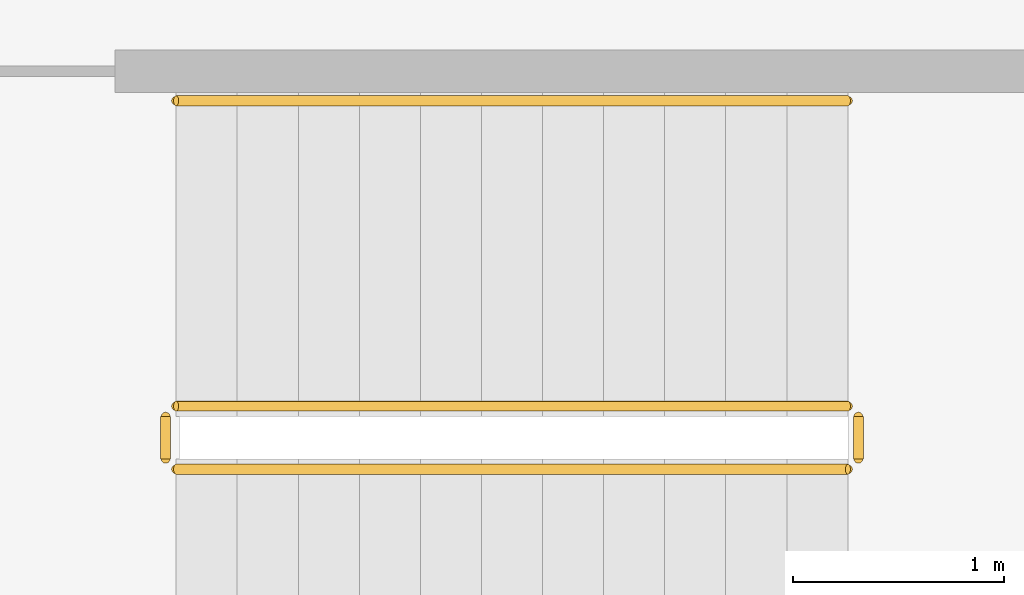
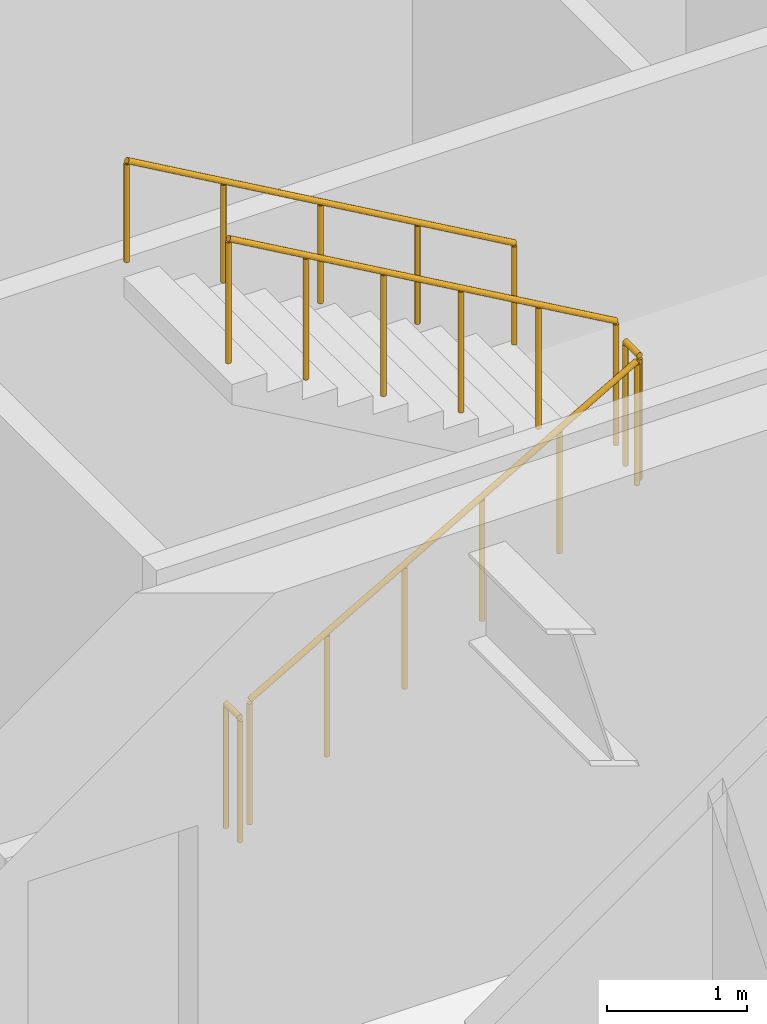
# One storey, part 19 of 20: 5 railings.
"""IFC4 building model written with IfcOpenShell, lengths in metres."""

from ifc_helpers import new_model, si_unit, direction, frame, origin, origin_2d, place, context, subcontext, project, spatial, circle, extrude, material, type_object, element, save


model = new_model("IFC4")

# Units and contexts
model_context = context("Model", 3, precision=1e-05, world=origin(), true_north=direction((0.0, 1.0)))
body_context = subcontext(model_context, "Body", "Model", "MODEL_VIEW")
ifc_project = project(units=[si_unit("LENGTHUNIT", "METRE"), si_unit("AREAUNIT", "SQUARE_METRE"), si_unit("VOLUMEUNIT", "CUBIC_METRE"), si_unit("PLANEANGLEUNIT", "RADIAN"), si_unit("MASSUNIT", "GRAM", prefix="KILO")], contexts=[model_context])

# Site, building, storey
site_placement = place(None, origin())
site = spatial("IfcSite", under=ifc_project, at=site_placement, CompositionType="ELEMENT")
building_placement = place(site_placement, origin())
building = spatial("IfcBuilding", under=site, at=building_placement, Name="Putna Gate Headquarters", CompositionType="ELEMENT")
storey_placement = place(building_placement, frame((0.0, 0.0, 298.39990234375)))
storey = spatial("IfcBuildingStorey", under=building, at=storey_placement, Name="L75", CompositionType="ELEMENT", Elevation=298.39990234375)

# Railings
ifc_material_1 = material(Name="Powder-coated steel stair guardrail", Category="steel")
railing_type_1 = type_object("IfcRailingType", Name="RAIL-STAIR-GUARD-1100", PredefinedType="GUARDRAIL", material=ifc_material_1)
railing_1_placement = place(storey_placement, frame((57.89990234375, 21.10009765625, 0.166748046875)))
element("IfcRailing", 1, at=railing_1_placement, inside=storey, type_object=railing_type_1, Name="L75 ST2 stair guard 1", PredefinedType="GUARDRAIL", context=body_context, shape_type="SweptSolid", body=[
    extrude(circle(Radius=0.02392578125, at=origin_2d()), frame((0.0, 0.0, 1.076171875), z_axis=(0.8670360191, 0.0, 0.498245463184), x_axis=(0.0, 1.0, 0.0)), (0.0, 0.0, 1.0), 3.679443359375),
    extrude(circle(Radius=0.02099609375, at=origin_2d()), origin(), (0.0, 0.0, 1.0), 1.052001953125),
    extrude(circle(Radius=0.02099609375, at=origin_2d()), frame((0.637939453125, 0.0, 0.36669921875)), (0.0, 0.0, 1.0), 1.052001953125),
    extrude(circle(Radius=0.02099609375, at=origin_2d()), frame((1.276123046875, 0.0, 0.7333984375)), (0.0, 0.0, 1.0), 1.052001953125),
    extrude(circle(Radius=0.02099609375, at=origin_2d()), frame((1.9140625, 0.0, 1.099853515625)), (0.0, 0.0, 1.0), 1.052001953125),
    extrude(circle(Radius=0.02099609375, at=origin_2d()), frame((2.55224609375, 0.0, 1.466552734375)), (0.0, 0.0, 1.0), 1.052001953125),
    extrude(circle(Radius=0.02099609375, at=origin_2d()), frame((3.190185546875, 0.0, 1.833251953125)), (0.0, 0.0, 1.0), 1.052001953125),
])
railing_2_placement = place(storey_placement, frame((61.139892578125, 21.14990234375, 2.0)))
element("IfcRailing", 2, at=railing_2_placement, inside=storey, type_object=railing_type_1, Name="L75 ST2 stair guard 2", PredefinedType="GUARDRAIL", context=body_context, shape_type="SweptSolid", body=[
    extrude(circle(Radius=0.02392578125, at=origin_2d()), frame((0.0, 0.0, 1.076171875), z_axis=(0.0, 1.0, 0.0), x_axis=(-1.0, 0.0, 0.0)), (0.0, 0.0, 1.0), 0.2001953125),
    extrude(circle(Radius=0.02099609375, at=origin_2d()), origin(), (0.0, 0.0, 1.0), 1.052001953125),
    extrude(circle(Radius=0.02099609375, at=origin_2d()), frame((0.0, 0.2001953125, 0.0)), (0.0, 0.0, 1.0), 1.052001953125),
])
railing_3_placement = place(storey_placement, frame((61.090087890625, 21.39990234375, 2.166748046875)))
element("IfcRailing", 3, at=railing_3_placement, inside=storey, type_object=railing_type_1, Name="L75 ST2 stair guard 3", PredefinedType="GUARDRAIL", context=body_context, shape_type="SweptSolid", body=[
    extrude(circle(Radius=0.02392578125, at=origin_2d()), frame((0.0, 0.0, 1.076171875), z_axis=(-0.8670360191, 0.0, 0.498245463184), x_axis=(0.0, -1.0, 0.0)), (0.0, 0.0, 1.0), 3.679443359375),
    extrude(circle(Radius=0.02099609375, at=origin_2d()), origin(), (0.0, 0.0, 1.0), 1.052001953125),
    extrude(circle(Radius=0.02099609375, at=origin_2d()), frame((-0.637939453125, 0.0, 0.36669921875)), (0.0, 0.0, 1.0), 1.052001953125),
    extrude(circle(Radius=0.02099609375, at=origin_2d()), frame((-1.276123046875, 0.0, 0.7333984375)), (0.0, 0.0, 1.0), 1.052001953125),
    extrude(circle(Radius=0.02099609375, at=origin_2d()), frame((-1.9140625, 0.0, 1.099853515625)), (0.0, 0.0, 1.0), 1.052001953125),
    extrude(circle(Radius=0.02099609375, at=origin_2d()), frame((-2.55224609375, 0.0, 1.466552734375)), (0.0, 0.0, 1.0), 1.052001953125),
    extrude(circle(Radius=0.02099609375, at=origin_2d()), frame((-3.190185546875, 0.0, 1.833251953125)), (0.0, 0.0, 1.0), 1.052001953125),
])
railing_4_placement = place(storey_placement, frame((57.85009765625, 21.14990234375, 0.0)))
element("IfcRailing", 4, at=railing_4_placement, inside=storey, type_object=railing_type_1, Name="L75 ST2 stair guard 4", PredefinedType="GUARDRAIL", context=body_context, shape_type="SweptSolid", body=[
    extrude(circle(Radius=0.02392578125, at=origin_2d()), frame((0.0, 0.0, 1.076171875), z_axis=(0.0, 1.0, 0.0), x_axis=(-1.0, 0.0, 0.0)), (0.0, 0.0, 1.0), 0.2001953125),
    extrude(circle(Radius=0.02099609375, at=origin_2d()), origin(), (0.0, 0.0, 1.0), 1.052001953125),
    extrude(circle(Radius=0.02099609375, at=origin_2d()), frame((0.0, 0.2001953125, 0.0)), (0.0, 0.0, 1.0), 1.052001953125),
])
ifc_material_2 = material(Name="Brushed stainless steel handrail", Category="steel")
railing_type_2 = type_object("IfcRailingType", Name="RAIL-STAIR-HAND-900", PredefinedType="HANDRAIL", material=ifc_material_2)
railing_5_placement = place(storey_placement, frame((61.090087890625, 22.85009765625, 2.166748046875)))
element("IfcRailing", 5, at=railing_5_placement, inside=storey, type_object=railing_type_2, Name="L75 ST2 stair handrail 2", PredefinedType="HANDRAIL", context=body_context, shape_type="SweptSolid", body=[
    extrude(circle(Radius=0.02392578125, at=origin_2d()), frame((0.0, 0.0, 0.8759765625), z_axis=(-0.8670360191, 0.0, 0.498245463184), x_axis=(0.0, -1.0, 0.0)), (0.0, 0.0, 1.0), 3.679443359375),
    extrude(circle(Radius=0.02099609375, at=origin_2d()), origin(), (0.0, 0.0, 1.0), 0.851806640625),
    extrude(circle(Radius=0.02099609375, at=origin_2d()), frame((-0.797607421875, 0.0, 0.458251953125)), (0.0, 0.0, 1.0), 0.851806640625),
    extrude(circle(Radius=0.02099609375, at=origin_2d()), frame((-1.59521484375, 0.0, 0.91650390625)), (0.0, 0.0, 1.0), 0.851806640625),
    extrude(circle(Radius=0.02099609375, at=origin_2d()), frame((-2.392578125, 0.0, 1.375)), (0.0, 0.0, 1.0), 0.851806640625),
    extrude(circle(Radius=0.02099609375, at=origin_2d()), frame((-3.190185546875, 0.0, 1.833251953125)), (0.0, 0.0, 1.0), 0.851806640625),
])

save(model, "model.ifc")
